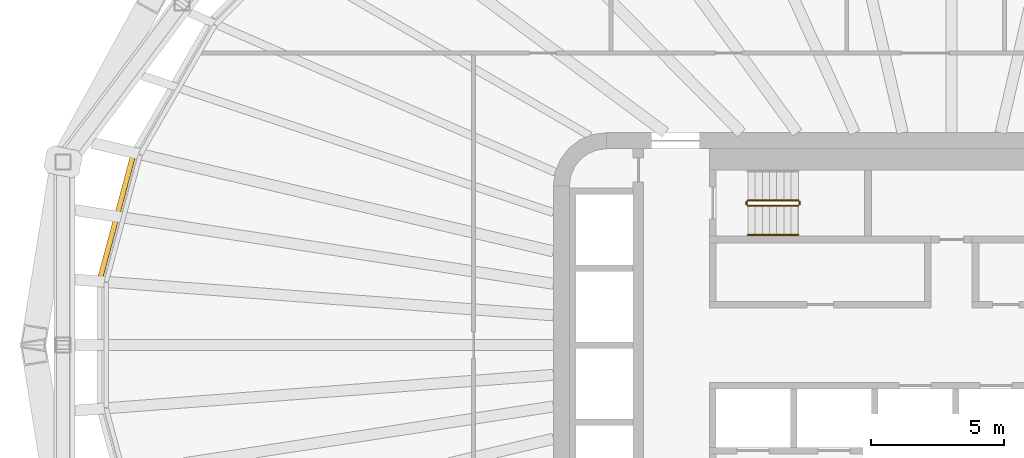
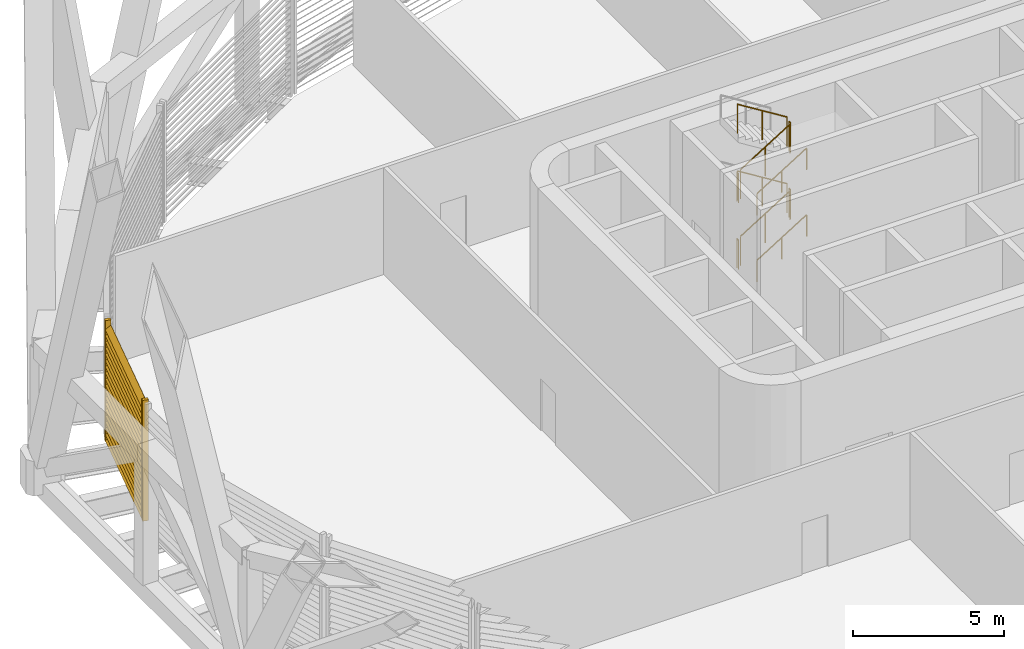
# One storey, part 13 of 18: 10 railings, 1 shading device.
"""IFC4 building model written with IfcOpenShell, lengths in metres."""

from ifc_helpers import new_model, si_unit, direction, frame, origin, origin_2d, place, context, subcontext, project, spatial, rectangle, circle, extrude, material, type_object, element, save


model = new_model("IFC4")

# Units and contexts
model_context = context("Model", 3, precision=1e-05, world=origin(), true_north=direction((0.0, 1.0)))
body_context = subcontext(model_context, "Body", "Model", "MODEL_VIEW")
ifc_project = project(units=[si_unit("LENGTHUNIT", "METRE"), si_unit("AREAUNIT", "SQUARE_METRE"), si_unit("VOLUMEUNIT", "CUBIC_METRE"), si_unit("PLANEANGLEUNIT", "RADIAN"), si_unit("MASSUNIT", "GRAM", prefix="KILO")], contexts=[model_context])

# Site, building, storey
site_placement = place(None, origin())
site = spatial("IfcSite", under=ifc_project, at=site_placement, CompositionType="ELEMENT")
building_placement = place(site_placement, origin())
building = spatial("IfcBuilding", under=site, at=building_placement, Name="Sahrelin Media Tower", CompositionType="ELEMENT")
storey_placement = place(building_placement, frame((0.0, 0.0, 96.60009765625)))
storey = spatial("IfcBuildingStorey", under=building, at=storey_placement, Name="L18", CompositionType="ELEMENT", Elevation=96.60009765625)

# Shading device
ifc_material_1 = material(Name="Champagne anodised aluminium 6063-T6", Category="aluminium")
shading_device_type = type_object("IfcShadingDeviceType", Name="Sand-rejection louvre band", PredefinedType="USERDEFINED", material=ifc_material_1)
shading_device_placement = place(storey_placement, frame((-31.34765625, 4.806640625, 0.0), z_axis=(0.0, 0.0, 1.0), x_axis=(0.258807731996, 0.965928857556, 0.0)))
element("IfcShadingDevice", 1, at=shading_device_placement, inside=storey, type_object=shading_device_type, Name="L18:LOUVRE:L18-11", ObjectType="LOUVRE", PredefinedType="USERDEFINED", context=body_context, shape_type="SweptSolid", body=[
    extrude(rectangle(XDim=0.1201171875, YDim=0.199951171875, at=origin_2d()), frame((2.390625, 0.10009765625, 0.050048828125), z_axis=(0.0, 0.0, 1.0), x_axis=(1.0, 0.0, 0.0)), (0.0, 0.0, 1.0), 4.8984375),
    extrude(rectangle(XDim=0.1201171875, YDim=0.199951171875, at=origin_2d()), frame((-2.390625, 0.10009765625, 0.050048828125), z_axis=(0.0, 0.0, 1.0), x_axis=(1.0, 0.0, 0.0)), (0.0, 0.0, 1.0), 4.8984375),
    extrude(rectangle(XDim=0.25, YDim=0.02001953125, at=origin_2d()), frame((2.330810546875, 0.10009765625, 0.14990234375), z_axis=(-1.0, 0.0, 0.0), x_axis=(0.0, -0.766044443119, 0.642787609687)), (0.0, 0.0, 1.0), 4.66162109375),
    extrude(rectangle(XDim=0.25, YDim=0.02001953125, at=origin_2d()), frame((2.330810546875, 0.10009765625, 0.39990234375), z_axis=(-1.0, 0.0, 0.0), x_axis=(0.0, -0.766044443119, 0.642787609687)), (0.0, 0.0, 1.0), 4.66162109375),
    extrude(rectangle(XDim=0.25, YDim=0.02001953125, at=origin_2d()), frame((2.330810546875, 0.10009765625, 0.64990234375), z_axis=(-1.0, 0.0, 0.0), x_axis=(0.0, -0.766044443119, 0.642787609687)), (0.0, 0.0, 1.0), 4.66162109375),
    extrude(rectangle(XDim=0.25, YDim=0.02001953125, at=origin_2d()), frame((2.330810546875, 0.10009765625, 0.89990234375), z_axis=(-1.0, 0.0, 0.0), x_axis=(0.0, -0.766044443119, 0.642787609687)), (0.0, 0.0, 1.0), 4.66162109375),
    extrude(rectangle(XDim=0.25, YDim=0.02001953125, at=origin_2d()), frame((2.330810546875, 0.10009765625, 1.14990234375), z_axis=(-1.0, 0.0, 0.0), x_axis=(0.0, -0.766044443119, 0.642787609687)), (0.0, 0.0, 1.0), 4.66162109375),
    extrude(rectangle(XDim=0.25, YDim=0.02001953125, at=origin_2d()), frame((2.330810546875, 0.10009765625, 1.39990234375), z_axis=(-1.0, 0.0, 0.0), x_axis=(0.0, -0.766044443119, 0.642787609687)), (0.0, 0.0, 1.0), 4.66162109375),
    extrude(rectangle(XDim=0.25, YDim=0.02001953125, at=origin_2d()), frame((2.330810546875, 0.10009765625, 1.64990234375), z_axis=(-1.0, 0.0, 0.0), x_axis=(0.0, -0.766044443119, 0.642787609687)), (0.0, 0.0, 1.0), 4.66162109375),
    extrude(rectangle(XDim=0.25, YDim=0.02001953125, at=origin_2d()), frame((2.330810546875, 0.10009765625, 1.89990234375), z_axis=(-1.0, 0.0, 0.0), x_axis=(0.0, -0.766044443119, 0.642787609687)), (0.0, 0.0, 1.0), 4.66162109375),
    extrude(rectangle(XDim=0.25, YDim=0.02001953125, at=origin_2d()), frame((2.330810546875, 0.10009765625, 2.14990234375), z_axis=(-1.0, 0.0, 0.0), x_axis=(0.0, -0.766044443119, 0.642787609687)), (0.0, 0.0, 1.0), 4.66162109375),
    extrude(rectangle(XDim=0.25, YDim=0.02001953125, at=origin_2d()), frame((2.330810546875, 0.10009765625, 2.39990234375), z_axis=(-1.0, 0.0, 0.0), x_axis=(0.0, -0.766044443119, 0.642787609687)), (0.0, 0.0, 1.0), 4.66162109375),
    extrude(rectangle(XDim=0.25, YDim=0.02001953125, at=origin_2d()), frame((2.330810546875, 0.10009765625, 2.64990234375), z_axis=(-1.0, 0.0, 0.0), x_axis=(0.0, -0.766044443119, 0.642787609687)), (0.0, 0.0, 1.0), 4.66162109375),
    extrude(rectangle(XDim=0.25, YDim=0.02001953125, at=origin_2d()), frame((2.330810546875, 0.10009765625, 2.89990234375), z_axis=(-1.0, 0.0, 0.0), x_axis=(0.0, -0.766044443119, 0.642787609687)), (0.0, 0.0, 1.0), 4.66162109375),
    extrude(rectangle(XDim=0.25, YDim=0.02001953125, at=origin_2d()), frame((2.330810546875, 0.10009765625, 3.14990234375), z_axis=(-1.0, 0.0, 0.0), x_axis=(0.0, -0.766044443119, 0.642787609687)), (0.0, 0.0, 1.0), 4.66162109375),
    extrude(rectangle(XDim=0.25, YDim=0.02001953125, at=origin_2d()), frame((2.330810546875, 0.10009765625, 3.39990234375), z_axis=(-1.0, 0.0, 0.0), x_axis=(0.0, -0.766044443119, 0.642787609687)), (0.0, 0.0, 1.0), 4.66162109375),
    extrude(rectangle(XDim=0.25, YDim=0.02001953125, at=origin_2d()), frame((2.330810546875, 0.10009765625, 3.64990234375), z_axis=(-1.0, 0.0, 0.0), x_axis=(0.0, -0.766044443119, 0.642787609687)), (0.0, 0.0, 1.0), 4.66162109375),
    extrude(rectangle(XDim=0.25, YDim=0.02001953125, at=origin_2d()), frame((2.330810546875, 0.10009765625, 3.89990234375), z_axis=(-1.0, 0.0, 0.0), x_axis=(0.0, -0.766044443119, 0.642787609687)), (0.0, 0.0, 1.0), 4.66162109375),
    extrude(rectangle(XDim=0.25, YDim=0.02001953125, at=origin_2d()), frame((2.330810546875, 0.10009765625, 4.14990234375), z_axis=(-1.0, 0.0, 0.0), x_axis=(0.0, -0.766044443119, 0.642787609687)), (0.0, 0.0, 1.0), 4.66162109375),
    extrude(rectangle(XDim=0.25, YDim=0.02001953125, at=origin_2d()), frame((2.330810546875, 0.10009765625, 4.39990234375), z_axis=(-1.0, 0.0, 0.0), x_axis=(0.0, -0.766044443119, 0.642787609687)), (0.0, 0.0, 1.0), 4.66162109375),
    extrude(rectangle(XDim=0.25, YDim=0.02001953125, at=origin_2d()), frame((2.330810546875, 0.10009765625, 4.64990234375), z_axis=(-1.0, 0.0, 0.0), x_axis=(0.0, -0.766044443119, 0.642787609687)), (0.0, 0.0, 1.0), 4.66162109375),
])

# Railings
ifc_material_2 = material(Name="Steel S355", Category="steel")
railing_type_1 = type_object("IfcRailingType", Name="Stair guard 1200", PredefinedType="GUARDRAIL", material=ifc_material_2)
railing_1_placement = place(storey_placement, frame((-7.675048828125, 5.25, 0.168701171875)))
element("IfcRailing", 2, at=railing_1_placement, inside=storey, type_object=railing_type_1, Name="L18 ST1 stair guard 1", PredefinedType="GUARDRAIL", context=body_context, shape_type="SweptSolid", body=[
    extrude(circle(Radius=0.02392578125, at=origin_2d()), frame((0.0, 0.0, 1.17578125), z_axis=(0.849289292259, 0.0, 0.527927739425), x_axis=(0.0, 1.0, 0.0)), (0.0, 0.0, 1.0), 2.2373046875),
    extrude(circle(Radius=0.02099609375, at=origin_2d()), origin(), (0.0, 0.0, 1.0), 1.15185546875),
    extrude(circle(Radius=0.02099609375, at=origin_2d()), frame((0.9501953125, 0.0, 0.590576171875)), (0.0, 0.0, 1.0), 1.15185546875),
    extrude(circle(Radius=0.02099609375, at=origin_2d()), frame((1.900146484375, 0.0, 1.18115234375)), (0.0, 0.0, 1.0), 1.15185546875),
])
railing_2_placement = place(storey_placement, frame((-5.72509765625, 5.300048828125, 1.349853515625)))
element("IfcRailing", 3, at=railing_2_placement, inside=storey, type_object=railing_type_1, Name="L18 ST1 stair guard 2", PredefinedType="GUARDRAIL", context=body_context, shape_type="SweptSolid", body=[
    extrude(circle(Radius=0.02392578125, at=origin_2d()), frame((0.0, 0.0, 1.17578125), z_axis=(0.0, 1.0, 0.0), x_axis=(-1.0, 0.0, 0.0)), (0.0, 0.0, 1.0), 0.099853515625),
    extrude(circle(Radius=0.02099609375, at=origin_2d()), origin(), (0.0, 0.0, 1.0), 1.15185546875),
    extrude(circle(Radius=0.02099609375, at=origin_2d()), frame((0.0, 0.099853515625, 0.0)), (0.0, 0.0, 1.0), 1.15185546875),
])
railing_3_placement = place(storey_placement, frame((-5.77490234375, 5.449951171875, 1.5185546875)))
element("IfcRailing", 4, at=railing_3_placement, inside=storey, type_object=railing_type_1, Name="L18 ST1 stair guard 3", PredefinedType="GUARDRAIL", context=body_context, shape_type="SweptSolid", body=[
    extrude(circle(Radius=0.02392578125, at=origin_2d()), frame((0.0, 0.0, 1.17578125), z_axis=(-0.849240365539, 0.0, 0.528006440812), x_axis=(0.0, -1.0, 0.0)), (0.0, 0.0, 1.0), 2.237548828125),
    extrude(circle(Radius=0.02099609375, at=origin_2d()), origin(), (0.0, 0.0, 1.0), 1.15185546875),
    extrude(circle(Radius=0.02099609375, at=origin_2d()), frame((-0.9501953125, 0.0, 0.5908203125)), (0.0, 0.0, 1.0), 1.15185546875),
    extrude(circle(Radius=0.02099609375, at=origin_2d()), frame((-1.900146484375, 0.0, 1.181396484375)), (0.0, 0.0, 1.0), 1.15185546875),
])
railing_4_placement = place(storey_placement, frame((-7.72509765625, 5.300048828125, 2.699951171875)))
element("IfcRailing", 5, at=railing_4_placement, inside=storey, type_object=railing_type_1, Name="L18 ST1 stair guard 4", PredefinedType="GUARDRAIL", context=body_context, shape_type="SweptSolid", body=[
    extrude(circle(Radius=0.02392578125, at=origin_2d()), frame((0.0, 0.0, 1.17578125), z_axis=(0.0, 1.0, 0.0), x_axis=(-1.0, 0.0, 0.0)), (0.0, 0.0, 1.0), 0.099853515625),
    extrude(circle(Radius=0.02099609375, at=origin_2d()), origin(), (0.0, 0.0, 1.0), 1.15185546875),
    extrude(circle(Radius=0.02099609375, at=origin_2d()), frame((0.0, 0.099853515625, 0.0)), (0.0, 0.0, 1.0), 1.15185546875),
])
railing_5_placement = place(storey_placement, frame((-7.675048828125, 5.25, 2.86865234375)))
element("IfcRailing", 6, at=railing_5_placement, inside=storey, type_object=railing_type_1, Name="L18 ST1 stair guard 5", PredefinedType="GUARDRAIL", context=body_context, shape_type="SweptSolid", body=[
    extrude(circle(Radius=0.02392578125, at=origin_2d()), frame((0.0, 0.0, 1.17578125), z_axis=(0.849289292259, 0.0, 0.527927739425), x_axis=(0.0, 1.0, 0.0)), (0.0, 0.0, 1.0), 2.2373046875),
    extrude(circle(Radius=0.02099609375, at=origin_2d()), origin(), (0.0, 0.0, 1.0), 1.15185546875),
    extrude(circle(Radius=0.02099609375, at=origin_2d()), frame((0.9501953125, 0.0, 0.590576171875)), (0.0, 0.0, 1.0), 1.15185546875),
    extrude(circle(Radius=0.02099609375, at=origin_2d()), frame((1.900146484375, 0.0, 1.18115234375)), (0.0, 0.0, 1.0), 1.15185546875),
])
railing_6_placement = place(storey_placement, frame((-5.72509765625, 5.300048828125, 4.0498046875)))
element("IfcRailing", 7, at=railing_6_placement, inside=storey, type_object=railing_type_1, Name="L18 ST1 stair guard 6", PredefinedType="GUARDRAIL", context=body_context, shape_type="SweptSolid", body=[
    extrude(circle(Radius=0.02392578125, at=origin_2d()), frame((0.0, 0.0, 1.17578125), z_axis=(0.0, 1.0, 0.0), x_axis=(-1.0, 0.0, 0.0)), (0.0, 0.0, 1.0), 0.099853515625),
    extrude(circle(Radius=0.02099609375, at=origin_2d()), origin(), (0.0, 0.0, 1.0), 1.15185546875),
    extrude(circle(Radius=0.02099609375, at=origin_2d()), frame((0.0, 0.099853515625, 0.0)), (0.0, 0.0, 1.0), 1.15185546875),
])
railing_7_placement = place(storey_placement, frame((-5.77490234375, 5.449951171875, 4.21875)))
element("IfcRailing", 8, at=railing_7_placement, inside=storey, type_object=railing_type_1, Name="L18 ST1 stair guard 7", PredefinedType="GUARDRAIL", context=body_context, shape_type="SweptSolid", body=[
    extrude(circle(Radius=0.02392578125, at=origin_2d()), frame((0.0, 0.0, 1.17578125), z_axis=(-0.849289292259, 0.0, 0.527927739425), x_axis=(0.0, -1.0, 0.0)), (0.0, 0.0, 1.0), 2.2373046875),
    extrude(circle(Radius=0.02099609375, at=origin_2d()), origin(), (0.0, 0.0, 1.0), 1.15185546875),
    extrude(circle(Radius=0.02099609375, at=origin_2d()), frame((-0.9501953125, 0.0, 0.590576171875)), (0.0, 0.0, 1.0), 1.15185546875),
    extrude(circle(Radius=0.02099609375, at=origin_2d()), frame((-1.900146484375, 0.0, 1.18115234375)), (0.0, 0.0, 1.0), 1.15185546875),
])
railing_8_placement = place(storey_placement, frame((-7.72509765625, 5.300048828125, 0.0)))
element("IfcRailing", 9, at=railing_8_placement, inside=storey, type_object=railing_type_1, Name="L18 ST1 stair guard 8", PredefinedType="GUARDRAIL", context=body_context, shape_type="SweptSolid", body=[
    extrude(circle(Radius=0.02392578125, at=origin_2d()), frame((0.0, 0.0, 1.17578125), z_axis=(0.0, 1.0, 0.0), x_axis=(-1.0, 0.0, 0.0)), (0.0, 0.0, 1.0), 0.099853515625),
    extrude(circle(Radius=0.02099609375, at=origin_2d()), origin(), (0.0, 0.0, 1.0), 1.15185546875),
    extrude(circle(Radius=0.02099609375, at=origin_2d()), frame((0.0, 0.099853515625, 0.0)), (0.0, 0.0, 1.0), 1.15185546875),
])
railing_type_2 = type_object("IfcRailingType", Name="Stair handrail 900", PredefinedType="HANDRAIL", material=ifc_material_2)
for number, where, name in (
    (10, (-7.675048828125, 4.14990234375, 0.168701171875), "L18 ST1 stair handrail 1"),
    (11, (-7.675048828125, 4.14990234375, 2.86865234375), "L18 ST1 stair handrail 3"),
):
    element("IfcRailing", number, at=place(storey_placement, frame(where)), inside=storey, type_object=railing_type_2, Name=name, PredefinedType="HANDRAIL", context=body_context, shape_type="SweptSolid", body=[
        extrude(circle(Radius=0.02392578125, at=origin_2d()), frame((0.0, 0.0, 0.8759765625), z_axis=(0.849289292259, 0.0, 0.527927739425), x_axis=(0.0, 1.0, 0.0)), (0.0, 0.0, 1.0), 2.2373046875),
        extrude(circle(Radius=0.02099609375, at=origin_2d()), origin(), (0.0, 0.0, 1.0), 0.851806640625),
        extrude(circle(Radius=0.02099609375, at=origin_2d()), frame((0.9501953125, 0.0, 0.590576171875)), (0.0, 0.0, 1.0), 0.851806640625),
        extrude(circle(Radius=0.02099609375, at=origin_2d()), frame((1.900146484375, 0.0, 1.18115234375)), (0.0, 0.0, 1.0), 0.851806640625),
    ])

save(model, "model.ifc")
